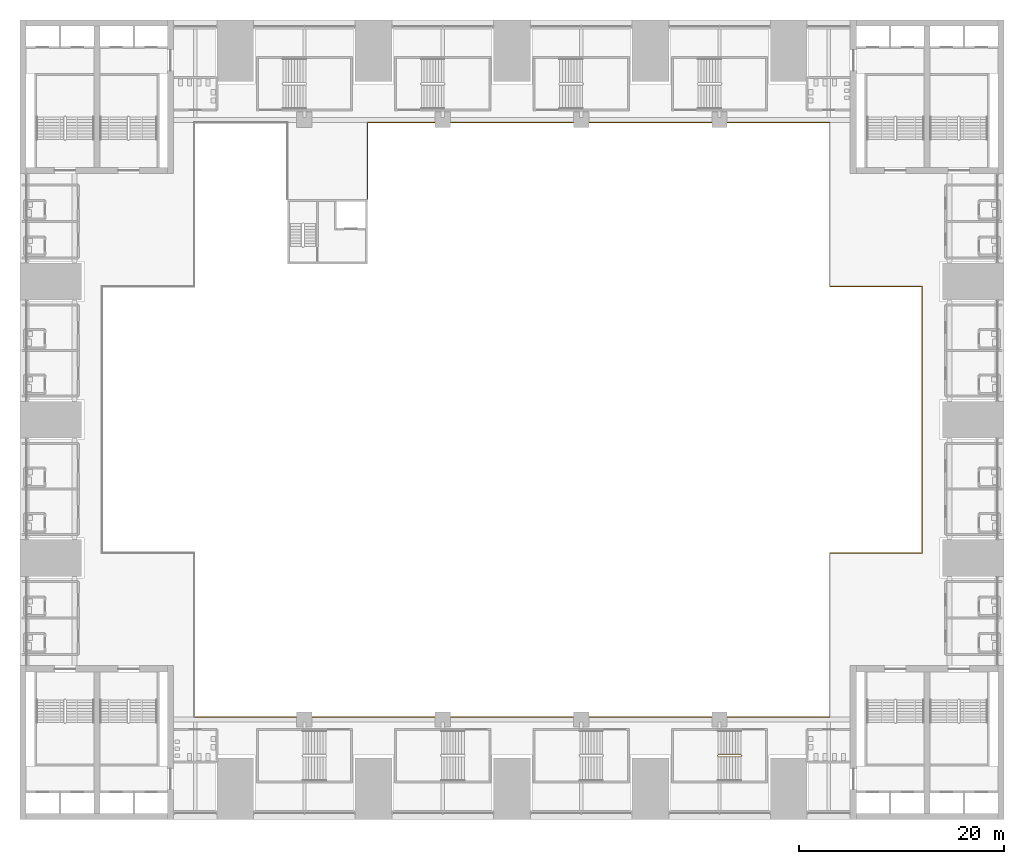
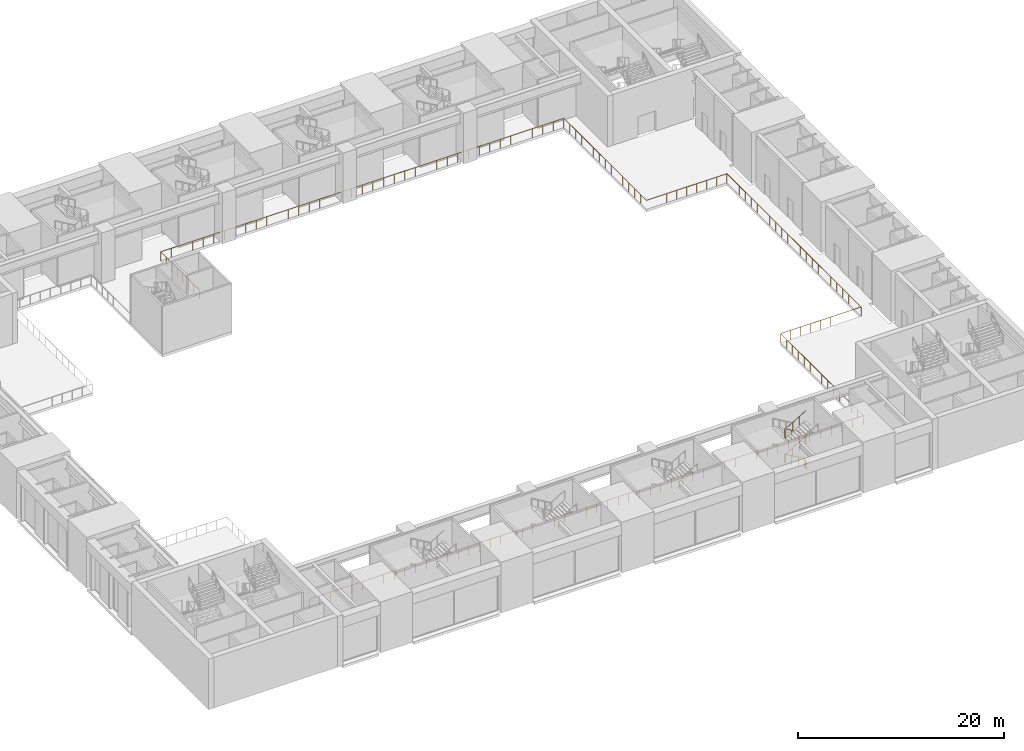
# One storey, part 39 of 43: 2 railings.
"""IFC4 building model written with IfcOpenShell, lengths in metres."""

from ifc_helpers import new_model, si_unit, direction, frame, origin, origin_2d, place, context, subcontext, project, spatial, circle, extrude, material, type_object, element, save


model = new_model("IFC4")

# Units and contexts
model_context = context("Model", 3, precision=1e-05, world=origin(), true_north=direction((0.0, 1.0)))
body_context = subcontext(model_context, "Body", "Model", "MODEL_VIEW")
ifc_project = project(units=[si_unit("LENGTHUNIT", "METRE"), si_unit("AREAUNIT", "SQUARE_METRE"), si_unit("VOLUMEUNIT", "CUBIC_METRE"), si_unit("PLANEANGLEUNIT", "RADIAN"), si_unit("MASSUNIT", "GRAM", prefix="KILO")], contexts=[model_context])

# Site, building, storey
site_placement = place(None, origin())
site = spatial("IfcSite", under=ifc_project, at=site_placement, CompositionType="ELEMENT")
building_placement = place(site_placement, origin())
building = spatial("IfcBuilding", under=site, at=building_placement, Name="Corbelhall Arena Tower", CompositionType="ELEMENT")
storey_placement = place(building_placement, frame((0.0, 0.0, 25.0)))
storey = spatial("IfcBuildingStorey", under=building, at=storey_placement, Name="L03", CompositionType="ELEMENT", Elevation=25.0)

# Railings
ifc_material_1 = material(Name="Stainless steel A4 and laminated glass", Category="steel")
railing_type_1 = type_object("IfcRailingType", Name="AR-GUARD-GLASS", PredefinedType="GUARDRAIL", material=ifc_material_1)
railing_1_placement = place(storey_placement, frame((-14.10009765625, 21.550048828125, 0.0)))
element("IfcRailing", 1, at=railing_1_placement, inside=storey, type_object=railing_type_1, Name="Bowl void guard L03 2", PredefinedType="GUARDRAIL", context=body_context, shape_type="SweptSolid", body=[
    extrude(circle(Radius=0.02392578125, at=origin_2d()), frame((0.0, 0.0, 1.076171875), z_axis=(0.0, 1.0, 0.0), x_axis=(-1.0, 0.0, 0.0)), (0.0, 0.0, 1.0), 7.449951171875),
    extrude(circle(Radius=0.02392578125, at=origin_2d()), frame((0.0, 7.449951171875, 1.076171875), z_axis=(1.0, 0.0, 0.0), x_axis=(0.0, 1.0, 0.0)), (0.0, 0.0, 1.0), 45.10009765625),
    extrude(circle(Radius=0.02392578125, at=origin_2d()), frame((45.10009765625, 7.449951171875, 1.076171875), z_axis=(0.0, -1.0, 0.0), x_axis=(1.0, 0.0, 0.0)), (0.0, 0.0, 1.0), 16.0),
    extrude(circle(Radius=0.02392578125, at=origin_2d()), frame((45.10009765625, -8.550048828125, 1.076171875), z_axis=(1.0, 0.0, 0.0), x_axis=(0.0, 1.0, 0.0)), (0.0, 0.0, 1.0), 9.0),
    extrude(circle(Radius=0.02392578125, at=origin_2d()), frame((54.10009765625, -8.550048828125, 1.076171875), z_axis=(0.0, -1.0, 0.0), x_axis=(1.0, 0.0, 0.0)), (0.0, 0.0, 1.0), 26.0),
    extrude(circle(Radius=0.02392578125, at=origin_2d()), frame((54.10009765625, -34.550048828125, 1.076171875), z_axis=(-1.0, 0.0, 0.0), x_axis=(0.0, -1.0, 0.0)), (0.0, 0.0, 1.0), 9.0),
    extrude(circle(Radius=0.02392578125, at=origin_2d()), frame((45.10009765625, -34.550048828125, 1.076171875), z_axis=(0.0, -1.0, 0.0), x_axis=(1.0, 0.0, 0.0)), (0.0, 0.0, 1.0), 16.0),
    extrude(circle(Radius=0.02392578125, at=origin_2d()), frame((45.10009765625, -50.550048828125, 1.076171875), z_axis=(-1.0, 0.0, 0.0), x_axis=(0.0, -1.0, 0.0)), (0.0, 0.0, 1.0), 62.0),
    extrude(circle(Radius=0.02099609375, at=origin_2d()), origin(), (0.0, 0.0, 1.0), 1.052001953125),
    extrude(circle(Radius=0.02099609375, at=origin_2d()), frame((0.0, 1.064208984375, 0.0)), (0.0, 0.0, 1.0), 1.052001953125),
    extrude(circle(Radius=0.02099609375, at=origin_2d()), frame((0.0, 2.128662109375, 0.0)), (0.0, 0.0, 1.0), 1.052001953125),
    extrude(circle(Radius=0.02099609375, at=origin_2d()), frame((0.0, 3.19287109375, 0.0)), (0.0, 0.0, 1.0), 1.052001953125),
    extrude(circle(Radius=0.02099609375, at=origin_2d()), frame((0.0, 4.257080078125, 0.0)), (0.0, 0.0, 1.0), 1.052001953125),
    extrude(circle(Radius=0.02099609375, at=origin_2d()), frame((0.0, 5.3212890625, 0.0)), (0.0, 0.0, 1.0), 1.052001953125),
    extrude(circle(Radius=0.02099609375, at=origin_2d()), frame((0.0, 6.3857421875, 0.0)), (0.0, 0.0, 1.0), 1.052001953125),
    extrude(circle(Radius=0.02099609375, at=origin_2d()), frame((0.0, 7.449951171875, 0.0)), (0.0, 0.0, 1.0), 1.052001953125),
    extrude(circle(Radius=0.02099609375, at=origin_2d()), frame((1.186767578125, 7.449951171875, 0.0)), (0.0, 0.0, 1.0), 1.052001953125),
    extrude(circle(Radius=0.02099609375, at=origin_2d()), frame((2.373779296875, 7.449951171875, 0.0)), (0.0, 0.0, 1.0), 1.052001953125),
    extrude(circle(Radius=0.02099609375, at=origin_2d()), frame((3.560546875, 7.449951171875, 0.0)), (0.0, 0.0, 1.0), 1.052001953125),
    extrude(circle(Radius=0.02099609375, at=origin_2d()), frame((4.747314453125, 7.449951171875, 0.0)), (0.0, 0.0, 1.0), 1.052001953125),
    extrude(circle(Radius=0.02099609375, at=origin_2d()), frame((5.934326171875, 7.449951171875, 0.0)), (0.0, 0.0, 1.0), 1.052001953125),
    extrude(circle(Radius=0.02099609375, at=origin_2d()), frame((7.12109375, 7.449951171875, 0.0)), (0.0, 0.0, 1.0), 1.052001953125),
    extrude(circle(Radius=0.02099609375, at=origin_2d()), frame((8.307861328125, 7.449951171875, 0.0)), (0.0, 0.0, 1.0), 1.052001953125),
    extrude(circle(Radius=0.02099609375, at=origin_2d()), frame((9.494873046875, 7.449951171875, 0.0)), (0.0, 0.0, 1.0), 1.052001953125),
    extrude(circle(Radius=0.02099609375, at=origin_2d()), frame((10.681640625, 7.449951171875, 0.0)), (0.0, 0.0, 1.0), 1.052001953125),
    extrude(circle(Radius=0.02099609375, at=origin_2d()), frame((11.868408203125, 7.449951171875, 0.0)), (0.0, 0.0, 1.0), 1.052001953125),
    extrude(circle(Radius=0.02099609375, at=origin_2d()), frame((13.05517578125, 7.449951171875, 0.0)), (0.0, 0.0, 1.0), 1.052001953125),
    extrude(circle(Radius=0.02099609375, at=origin_2d()), frame((14.2421875, 7.449951171875, 0.0)), (0.0, 0.0, 1.0), 1.052001953125),
    extrude(circle(Radius=0.02099609375, at=origin_2d()), frame((15.428955078125, 7.449951171875, 0.0)), (0.0, 0.0, 1.0), 1.052001953125),
    extrude(circle(Radius=0.02099609375, at=origin_2d()), frame((16.61572265625, 7.449951171875, 0.0)), (0.0, 0.0, 1.0), 1.052001953125),
    extrude(circle(Radius=0.02099609375, at=origin_2d()), frame((17.802734375, 7.449951171875, 0.0)), (0.0, 0.0, 1.0), 1.052001953125),
    extrude(circle(Radius=0.02099609375, at=origin_2d()), frame((18.989501953125, 7.449951171875, 0.0)), (0.0, 0.0, 1.0), 1.052001953125),
    extrude(circle(Radius=0.02099609375, at=origin_2d()), frame((20.17626953125, 7.449951171875, 0.0)), (0.0, 0.0, 1.0), 1.052001953125),
    extrude(circle(Radius=0.02099609375, at=origin_2d()), frame((21.36328125, 7.449951171875, 0.0)), (0.0, 0.0, 1.0), 1.052001953125),
    extrude(circle(Radius=0.02099609375, at=origin_2d()), frame((22.550048828125, 7.449951171875, 0.0)), (0.0, 0.0, 1.0), 1.052001953125),
    extrude(circle(Radius=0.02099609375, at=origin_2d()), frame((23.73681640625, 7.449951171875, 0.0)), (0.0, 0.0, 1.0), 1.052001953125),
    extrude(circle(Radius=0.02099609375, at=origin_2d()), frame((24.923828125, 7.449951171875, 0.0)), (0.0, 0.0, 1.0), 1.052001953125),
    extrude(circle(Radius=0.02099609375, at=origin_2d()), frame((26.110595703125, 7.449951171875, 0.0)), (0.0, 0.0, 1.0), 1.052001953125),
    extrude(circle(Radius=0.02099609375, at=origin_2d()), frame((27.29736328125, 7.449951171875, 0.0)), (0.0, 0.0, 1.0), 1.052001953125),
    extrude(circle(Radius=0.02099609375, at=origin_2d()), frame((28.484375, 7.449951171875, 0.0)), (0.0, 0.0, 1.0), 1.052001953125),
    extrude(circle(Radius=0.02099609375, at=origin_2d()), frame((29.671142578125, 7.449951171875, 0.0)), (0.0, 0.0, 1.0), 1.052001953125),
    extrude(circle(Radius=0.02099609375, at=origin_2d()), frame((30.85791015625, 7.449951171875, 0.0)), (0.0, 0.0, 1.0), 1.052001953125),
    extrude(circle(Radius=0.02099609375, at=origin_2d()), frame((32.044921875, 7.449951171875, 0.0)), (0.0, 0.0, 1.0), 1.052001953125),
    extrude(circle(Radius=0.02099609375, at=origin_2d()), frame((33.231689453125, 7.449951171875, 0.0)), (0.0, 0.0, 1.0), 1.052001953125),
    extrude(circle(Radius=0.02099609375, at=origin_2d()), frame((34.41845703125, 7.449951171875, 0.0)), (0.0, 0.0, 1.0), 1.052001953125),
    extrude(circle(Radius=0.02099609375, at=origin_2d()), frame((35.605224609375, 7.449951171875, 0.0)), (0.0, 0.0, 1.0), 1.052001953125),
    extrude(circle(Radius=0.02099609375, at=origin_2d()), frame((36.792236328125, 7.449951171875, 0.0)), (0.0, 0.0, 1.0), 1.052001953125),
    extrude(circle(Radius=0.02099609375, at=origin_2d()), frame((37.97900390625, 7.449951171875, 0.0)), (0.0, 0.0, 1.0), 1.052001953125),
    extrude(circle(Radius=0.02099609375, at=origin_2d()), frame((39.165771484375, 7.449951171875, 0.0)), (0.0, 0.0, 1.0), 1.052001953125),
    extrude(circle(Radius=0.02099609375, at=origin_2d()), frame((40.352783203125, 7.449951171875, 0.0)), (0.0, 0.0, 1.0), 1.052001953125),
    extrude(circle(Radius=0.02099609375, at=origin_2d()), frame((41.53955078125, 7.449951171875, 0.0)), (0.0, 0.0, 1.0), 1.052001953125),
    extrude(circle(Radius=0.02099609375, at=origin_2d()), frame((42.726318359375, 7.449951171875, 0.0)), (0.0, 0.0, 1.0), 1.052001953125),
    extrude(circle(Radius=0.02099609375, at=origin_2d()), frame((43.913330078125, 7.449951171875, 0.0)), (0.0, 0.0, 1.0), 1.052001953125),
    extrude(circle(Radius=0.02099609375, at=origin_2d()), frame((45.10009765625, 7.449951171875, 0.0)), (0.0, 0.0, 1.0), 1.052001953125),
    extrude(circle(Radius=0.02099609375, at=origin_2d()), frame((45.10009765625, 6.30712890625, 0.0)), (0.0, 0.0, 1.0), 1.052001953125),
    extrude(circle(Radius=0.02099609375, at=origin_2d()), frame((45.10009765625, 5.164306640625, 0.0)), (0.0, 0.0, 1.0), 1.052001953125),
    extrude(circle(Radius=0.02099609375, at=origin_2d()), frame((45.10009765625, 4.021484375, 0.0)), (0.0, 0.0, 1.0), 1.052001953125),
    extrude(circle(Radius=0.02099609375, at=origin_2d()), frame((45.10009765625, 2.87841796875, 0.0)), (0.0, 0.0, 1.0), 1.052001953125),
    extrude(circle(Radius=0.02099609375, at=origin_2d()), frame((45.10009765625, 1.735595703125, 0.0)), (0.0, 0.0, 1.0), 1.052001953125),
    extrude(circle(Radius=0.02099609375, at=origin_2d()), frame((45.10009765625, 0.5927734375, 0.0)), (0.0, 0.0, 1.0), 1.052001953125),
    extrude(circle(Radius=0.02099609375, at=origin_2d()), frame((45.10009765625, -0.550048828125, 0.0)), (0.0, 0.0, 1.0), 1.052001953125),
    extrude(circle(Radius=0.02099609375, at=origin_2d()), frame((45.10009765625, -1.69287109375, 0.0)), (0.0, 0.0, 1.0), 1.052001953125),
    extrude(circle(Radius=0.02099609375, at=origin_2d()), frame((45.10009765625, -2.835693359375, 0.0)), (0.0, 0.0, 1.0), 1.052001953125),
    extrude(circle(Radius=0.02099609375, at=origin_2d()), frame((45.10009765625, -3.978515625, 0.0)), (0.0, 0.0, 1.0), 1.052001953125),
    extrude(circle(Radius=0.02099609375, at=origin_2d()), frame((45.10009765625, -5.12158203125, 0.0)), (0.0, 0.0, 1.0), 1.052001953125),
    extrude(circle(Radius=0.02099609375, at=origin_2d()), frame((45.10009765625, -6.264404296875, 0.0)), (0.0, 0.0, 1.0), 1.052001953125),
    extrude(circle(Radius=0.02099609375, at=origin_2d()), frame((45.10009765625, -7.4072265625, 0.0)), (0.0, 0.0, 1.0), 1.052001953125),
    extrude(circle(Radius=0.02099609375, at=origin_2d()), frame((45.10009765625, -8.550048828125, 0.0)), (0.0, 0.0, 1.0), 1.052001953125),
    extrude(circle(Radius=0.02099609375, at=origin_2d()), frame((46.22509765625, -8.550048828125, 0.0)), (0.0, 0.0, 1.0), 1.052001953125),
    extrude(circle(Radius=0.02099609375, at=origin_2d()), frame((47.35009765625, -8.550048828125, 0.0)), (0.0, 0.0, 1.0), 1.052001953125),
    extrude(circle(Radius=0.02099609375, at=origin_2d()), frame((48.47509765625, -8.550048828125, 0.0)), (0.0, 0.0, 1.0), 1.052001953125),
    extrude(circle(Radius=0.02099609375, at=origin_2d()), frame((49.60009765625, -8.550048828125, 0.0)), (0.0, 0.0, 1.0), 1.052001953125),
    extrude(circle(Radius=0.02099609375, at=origin_2d()), frame((50.72509765625, -8.550048828125, 0.0)), (0.0, 0.0, 1.0), 1.052001953125),
    extrude(circle(Radius=0.02099609375, at=origin_2d()), frame((51.85009765625, -8.550048828125, 0.0)), (0.0, 0.0, 1.0), 1.052001953125),
    extrude(circle(Radius=0.02099609375, at=origin_2d()), frame((52.97509765625, -8.550048828125, 0.0)), (0.0, 0.0, 1.0), 1.052001953125),
    extrude(circle(Radius=0.02099609375, at=origin_2d()), frame((54.10009765625, -8.550048828125, 0.0)), (0.0, 0.0, 1.0), 1.052001953125),
    extrude(circle(Radius=0.02099609375, at=origin_2d()), frame((54.10009765625, -9.73193359375, 0.0)), (0.0, 0.0, 1.0), 1.052001953125),
    extrude(circle(Radius=0.02099609375, at=origin_2d()), frame((54.10009765625, -10.91357421875, 0.0)), (0.0, 0.0, 1.0), 1.052001953125),
    extrude(circle(Radius=0.02099609375, at=origin_2d()), frame((54.10009765625, -12.095458984375, 0.0)), (0.0, 0.0, 1.0), 1.052001953125),
    extrude(circle(Radius=0.02099609375, at=origin_2d()), frame((54.10009765625, -13.27734375, 0.0)), (0.0, 0.0, 1.0), 1.052001953125),
    extrude(circle(Radius=0.02099609375, at=origin_2d()), frame((54.10009765625, -14.459228515625, 0.0)), (0.0, 0.0, 1.0), 1.052001953125),
    extrude(circle(Radius=0.02099609375, at=origin_2d()), frame((54.10009765625, -15.640869140625, 0.0)), (0.0, 0.0, 1.0), 1.052001953125),
    extrude(circle(Radius=0.02099609375, at=origin_2d()), frame((54.10009765625, -16.82275390625, 0.0)), (0.0, 0.0, 1.0), 1.052001953125),
    extrude(circle(Radius=0.02099609375, at=origin_2d()), frame((54.10009765625, -18.004638671875, 0.0)), (0.0, 0.0, 1.0), 1.052001953125),
    extrude(circle(Radius=0.02099609375, at=origin_2d()), frame((54.10009765625, -19.1865234375, 0.0)), (0.0, 0.0, 1.0), 1.052001953125),
    extrude(circle(Radius=0.02099609375, at=origin_2d()), frame((54.10009765625, -20.3681640625, 0.0)), (0.0, 0.0, 1.0), 1.052001953125),
    extrude(circle(Radius=0.02099609375, at=origin_2d()), frame((54.10009765625, -21.550048828125, 0.0)), (0.0, 0.0, 1.0), 1.052001953125),
    extrude(circle(Radius=0.02099609375, at=origin_2d()), frame((54.10009765625, -22.73193359375, 0.0)), (0.0, 0.0, 1.0), 1.052001953125),
    extrude(circle(Radius=0.02099609375, at=origin_2d()), frame((54.10009765625, -23.91357421875, 0.0)), (0.0, 0.0, 1.0), 1.052001953125),
    extrude(circle(Radius=0.02099609375, at=origin_2d()), frame((54.10009765625, -25.095458984375, 0.0)), (0.0, 0.0, 1.0), 1.052001953125),
    extrude(circle(Radius=0.02099609375, at=origin_2d()), frame((54.10009765625, -26.27734375, 0.0)), (0.0, 0.0, 1.0), 1.052001953125),
    extrude(circle(Radius=0.02099609375, at=origin_2d()), frame((54.10009765625, -27.459228515625, 0.0)), (0.0, 0.0, 1.0), 1.052001953125),
    extrude(circle(Radius=0.02099609375, at=origin_2d()), frame((54.10009765625, -28.640869140625, 0.0)), (0.0, 0.0, 1.0), 1.052001953125),
    extrude(circle(Radius=0.02099609375, at=origin_2d()), frame((54.10009765625, -29.82275390625, 0.0)), (0.0, 0.0, 1.0), 1.052001953125),
    extrude(circle(Radius=0.02099609375, at=origin_2d()), frame((54.10009765625, -31.004638671875, 0.0)), (0.0, 0.0, 1.0), 1.052001953125),
    extrude(circle(Radius=0.02099609375, at=origin_2d()), frame((54.10009765625, -32.1865234375, 0.0)), (0.0, 0.0, 1.0), 1.052001953125),
    extrude(circle(Radius=0.02099609375, at=origin_2d()), frame((54.10009765625, -33.3681640625, 0.0)), (0.0, 0.0, 1.0), 1.052001953125),
    extrude(circle(Radius=0.02099609375, at=origin_2d()), frame((54.10009765625, -34.550048828125, 0.0)), (0.0, 0.0, 1.0), 1.052001953125),
    extrude(circle(Radius=0.02099609375, at=origin_2d()), frame((52.97509765625, -34.550048828125, 0.0)), (0.0, 0.0, 1.0), 1.052001953125),
    extrude(circle(Radius=0.02099609375, at=origin_2d()), frame((51.85009765625, -34.550048828125, 0.0)), (0.0, 0.0, 1.0), 1.052001953125),
    extrude(circle(Radius=0.02099609375, at=origin_2d()), frame((50.72509765625, -34.550048828125, 0.0)), (0.0, 0.0, 1.0), 1.052001953125),
    extrude(circle(Radius=0.02099609375, at=origin_2d()), frame((49.60009765625, -34.550048828125, 0.0)), (0.0, 0.0, 1.0), 1.052001953125),
    extrude(circle(Radius=0.02099609375, at=origin_2d()), frame((48.47509765625, -34.550048828125, 0.0)), (0.0, 0.0, 1.0), 1.052001953125),
    extrude(circle(Radius=0.02099609375, at=origin_2d()), frame((47.35009765625, -34.550048828125, 0.0)), (0.0, 0.0, 1.0), 1.052001953125),
    extrude(circle(Radius=0.02099609375, at=origin_2d()), frame((46.22509765625, -34.550048828125, 0.0)), (0.0, 0.0, 1.0), 1.052001953125),
    extrude(circle(Radius=0.02099609375, at=origin_2d()), frame((45.10009765625, -34.550048828125, 0.0)), (0.0, 0.0, 1.0), 1.052001953125),
    extrude(circle(Radius=0.02099609375, at=origin_2d()), frame((45.10009765625, -35.69287109375, 0.0)), (0.0, 0.0, 1.0), 1.052001953125),
    extrude(circle(Radius=0.02099609375, at=origin_2d()), frame((45.10009765625, -36.835693359375, 0.0)), (0.0, 0.0, 1.0), 1.052001953125),
    extrude(circle(Radius=0.02099609375, at=origin_2d()), frame((45.10009765625, -37.978515625, 0.0)), (0.0, 0.0, 1.0), 1.052001953125),
    extrude(circle(Radius=0.02099609375, at=origin_2d()), frame((45.10009765625, -39.12158203125, 0.0)), (0.0, 0.0, 1.0), 1.052001953125),
    extrude(circle(Radius=0.02099609375, at=origin_2d()), frame((45.10009765625, -40.264404296875, 0.0)), (0.0, 0.0, 1.0), 1.052001953125),
    extrude(circle(Radius=0.02099609375, at=origin_2d()), frame((45.10009765625, -41.4072265625, 0.0)), (0.0, 0.0, 1.0), 1.052001953125),
    extrude(circle(Radius=0.02099609375, at=origin_2d()), frame((45.10009765625, -42.550048828125, 0.0)), (0.0, 0.0, 1.0), 1.052001953125),
    extrude(circle(Radius=0.02099609375, at=origin_2d()), frame((45.10009765625, -43.69287109375, 0.0)), (0.0, 0.0, 1.0), 1.052001953125),
    extrude(circle(Radius=0.02099609375, at=origin_2d()), frame((45.10009765625, -44.835693359375, 0.0)), (0.0, 0.0, 1.0), 1.052001953125),
    extrude(circle(Radius=0.02099609375, at=origin_2d()), frame((45.10009765625, -45.978515625, 0.0)), (0.0, 0.0, 1.0), 1.052001953125),
    extrude(circle(Radius=0.02099609375, at=origin_2d()), frame((45.10009765625, -47.12158203125, 0.0)), (0.0, 0.0, 1.0), 1.052001953125),
    extrude(circle(Radius=0.02099609375, at=origin_2d()), frame((45.10009765625, -48.264404296875, 0.0)), (0.0, 0.0, 1.0), 1.052001953125),
    extrude(circle(Radius=0.02099609375, at=origin_2d()), frame((45.10009765625, -49.4072265625, 0.0)), (0.0, 0.0, 1.0), 1.052001953125),
    extrude(circle(Radius=0.02099609375, at=origin_2d()), frame((45.10009765625, -50.550048828125, 0.0)), (0.0, 0.0, 1.0), 1.052001953125),
    extrude(circle(Radius=0.02099609375, at=origin_2d()), frame((43.90771484375, -50.550048828125, 0.0)), (0.0, 0.0, 1.0), 1.052001953125),
    extrude(circle(Radius=0.02099609375, at=origin_2d()), frame((42.715576171875, -50.550048828125, 0.0)), (0.0, 0.0, 1.0), 1.052001953125),
    extrude(circle(Radius=0.02099609375, at=origin_2d()), frame((41.523193359375, -50.550048828125, 0.0)), (0.0, 0.0, 1.0), 1.052001953125),
    extrude(circle(Radius=0.02099609375, at=origin_2d()), frame((40.330810546875, -50.550048828125, 0.0)), (0.0, 0.0, 1.0), 1.052001953125),
    extrude(circle(Radius=0.02099609375, at=origin_2d()), frame((39.138671875, -50.550048828125, 0.0)), (0.0, 0.0, 1.0), 1.052001953125),
    extrude(circle(Radius=0.02099609375, at=origin_2d()), frame((37.9462890625, -50.550048828125, 0.0)), (0.0, 0.0, 1.0), 1.052001953125),
    extrude(circle(Radius=0.02099609375, at=origin_2d()), frame((36.75390625, -50.550048828125, 0.0)), (0.0, 0.0, 1.0), 1.052001953125),
    extrude(circle(Radius=0.02099609375, at=origin_2d()), frame((35.5615234375, -50.550048828125, 0.0)), (0.0, 0.0, 1.0), 1.052001953125),
    extrude(circle(Radius=0.02099609375, at=origin_2d()), frame((34.369384765625, -50.550048828125, 0.0)), (0.0, 0.0, 1.0), 1.052001953125),
    extrude(circle(Radius=0.02099609375, at=origin_2d()), frame((33.177001953125, -50.550048828125, 0.0)), (0.0, 0.0, 1.0), 1.052001953125),
    extrude(circle(Radius=0.02099609375, at=origin_2d()), frame((31.984619140625, -50.550048828125, 0.0)), (0.0, 0.0, 1.0), 1.052001953125),
    extrude(circle(Radius=0.02099609375, at=origin_2d()), frame((30.79248046875, -50.550048828125, 0.0)), (0.0, 0.0, 1.0), 1.052001953125),
    extrude(circle(Radius=0.02099609375, at=origin_2d()), frame((29.60009765625, -50.550048828125, 0.0)), (0.0, 0.0, 1.0), 1.052001953125),
    extrude(circle(Radius=0.02099609375, at=origin_2d()), frame((28.40771484375, -50.550048828125, 0.0)), (0.0, 0.0, 1.0), 1.052001953125),
    extrude(circle(Radius=0.02099609375, at=origin_2d()), frame((27.215576171875, -50.550048828125, 0.0)), (0.0, 0.0, 1.0), 1.052001953125),
    extrude(circle(Radius=0.02099609375, at=origin_2d()), frame((26.023193359375, -50.550048828125, 0.0)), (0.0, 0.0, 1.0), 1.052001953125),
    extrude(circle(Radius=0.02099609375, at=origin_2d()), frame((24.830810546875, -50.550048828125, 0.0)), (0.0, 0.0, 1.0), 1.052001953125),
    extrude(circle(Radius=0.02099609375, at=origin_2d()), frame((23.638671875, -50.550048828125, 0.0)), (0.0, 0.0, 1.0), 1.052001953125),
    extrude(circle(Radius=0.02099609375, at=origin_2d()), frame((22.4462890625, -50.550048828125, 0.0)), (0.0, 0.0, 1.0), 1.052001953125),
    extrude(circle(Radius=0.02099609375, at=origin_2d()), frame((21.25390625, -50.550048828125, 0.0)), (0.0, 0.0, 1.0), 1.052001953125),
    extrude(circle(Radius=0.02099609375, at=origin_2d()), frame((20.0615234375, -50.550048828125, 0.0)), (0.0, 0.0, 1.0), 1.052001953125),
    extrude(circle(Radius=0.02099609375, at=origin_2d()), frame((18.869384765625, -50.550048828125, 0.0)), (0.0, 0.0, 1.0), 1.052001953125),
    extrude(circle(Radius=0.02099609375, at=origin_2d()), frame((17.677001953125, -50.550048828125, 0.0)), (0.0, 0.0, 1.0), 1.052001953125),
    extrude(circle(Radius=0.02099609375, at=origin_2d()), frame((16.484619140625, -50.550048828125, 0.0)), (0.0, 0.0, 1.0), 1.052001953125),
    extrude(circle(Radius=0.02099609375, at=origin_2d()), frame((15.29248046875, -50.550048828125, 0.0)), (0.0, 0.0, 1.0), 1.052001953125),
    extrude(circle(Radius=0.02099609375, at=origin_2d()), frame((14.10009765625, -50.550048828125, 0.0)), (0.0, 0.0, 1.0), 1.052001953125),
    extrude(circle(Radius=0.02099609375, at=origin_2d()), frame((12.90771484375, -50.550048828125, 0.0)), (0.0, 0.0, 1.0), 1.052001953125),
    extrude(circle(Radius=0.02099609375, at=origin_2d()), frame((11.715576171875, -50.550048828125, 0.0)), (0.0, 0.0, 1.0), 1.052001953125),
    extrude(circle(Radius=0.02099609375, at=origin_2d()), frame((10.523193359375, -50.550048828125, 0.0)), (0.0, 0.0, 1.0), 1.052001953125),
    extrude(circle(Radius=0.02099609375, at=origin_2d()), frame((9.330810546875, -50.550048828125, 0.0)), (0.0, 0.0, 1.0), 1.052001953125),
    extrude(circle(Radius=0.02099609375, at=origin_2d()), frame((8.138671875, -50.550048828125, 0.0)), (0.0, 0.0, 1.0), 1.052001953125),
    extrude(circle(Radius=0.02099609375, at=origin_2d()), frame((6.9462890625, -50.550048828125, 0.0)), (0.0, 0.0, 1.0), 1.052001953125),
    extrude(circle(Radius=0.02099609375, at=origin_2d()), frame((5.75390625, -50.550048828125, 0.0)), (0.0, 0.0, 1.0), 1.052001953125),
    extrude(circle(Radius=0.02099609375, at=origin_2d()), frame((4.5615234375, -50.550048828125, 0.0)), (0.0, 0.0, 1.0), 1.052001953125),
    extrude(circle(Radius=0.02099609375, at=origin_2d()), frame((3.369384765625, -50.550048828125, 0.0)), (0.0, 0.0, 1.0), 1.052001953125),
    extrude(circle(Radius=0.02099609375, at=origin_2d()), frame((2.177001953125, -50.550048828125, 0.0)), (0.0, 0.0, 1.0), 1.052001953125),
    extrude(circle(Radius=0.02099609375, at=origin_2d()), frame((0.984619140625, -50.550048828125, 0.0)), (0.0, 0.0, 1.0), 1.052001953125),
    extrude(circle(Radius=0.02099609375, at=origin_2d()), frame((-0.20751953125, -50.550048828125, 0.0)), (0.0, 0.0, 1.0), 1.052001953125),
    extrude(circle(Radius=0.02099609375, at=origin_2d()), frame((-1.39990234375, -50.550048828125, 0.0)), (0.0, 0.0, 1.0), 1.052001953125),
    extrude(circle(Radius=0.02099609375, at=origin_2d()), frame((-2.59228515625, -50.550048828125, 0.0)), (0.0, 0.0, 1.0), 1.052001953125),
    extrude(circle(Radius=0.02099609375, at=origin_2d()), frame((-3.784423828125, -50.550048828125, 0.0)), (0.0, 0.0, 1.0), 1.052001953125),
    extrude(circle(Radius=0.02099609375, at=origin_2d()), frame((-4.976806640625, -50.550048828125, 0.0)), (0.0, 0.0, 1.0), 1.052001953125),
    extrude(circle(Radius=0.02099609375, at=origin_2d()), frame((-6.169189453125, -50.550048828125, 0.0)), (0.0, 0.0, 1.0), 1.052001953125),
    extrude(circle(Radius=0.02099609375, at=origin_2d()), frame((-7.361328125, -50.550048828125, 0.0)), (0.0, 0.0, 1.0), 1.052001953125),
    extrude(circle(Radius=0.02099609375, at=origin_2d()), frame((-8.5537109375, -50.550048828125, 0.0)), (0.0, 0.0, 1.0), 1.052001953125),
    extrude(circle(Radius=0.02099609375, at=origin_2d()), frame((-9.74609375, -50.550048828125, 0.0)), (0.0, 0.0, 1.0), 1.052001953125),
    extrude(circle(Radius=0.02099609375, at=origin_2d()), frame((-10.9384765625, -50.550048828125, 0.0)), (0.0, 0.0, 1.0), 1.052001953125),
    extrude(circle(Radius=0.02099609375, at=origin_2d()), frame((-12.130615234375, -50.550048828125, 0.0)), (0.0, 0.0, 1.0), 1.052001953125),
    extrude(circle(Radius=0.02099609375, at=origin_2d()), frame((-13.322998046875, -50.550048828125, 0.0)), (0.0, 0.0, 1.0), 1.052001953125),
    extrude(circle(Radius=0.02099609375, at=origin_2d()), frame((-14.515380859375, -50.550048828125, 0.0)), (0.0, 0.0, 1.0), 1.052001953125),
    extrude(circle(Radius=0.02099609375, at=origin_2d()), frame((-15.70751953125, -50.550048828125, 0.0)), (0.0, 0.0, 1.0), 1.052001953125),
    extrude(circle(Radius=0.02099609375, at=origin_2d()), frame((-16.89990234375, -50.550048828125, 0.0)), (0.0, 0.0, 1.0), 1.052001953125),
])
ifc_material_2 = material(Name="Stainless steel A4", Category="steel")
railing_type_2 = type_object("IfcRailingType", Name="AR-STAIR-GUARD", PredefinedType="GUARDRAIL", material=ifc_material_2)
railing_2_placement = place(storey_placement, frame((22.35009765625, -32.64990234375, 0.166748046875)))
element("IfcRailing", 2, at=railing_2_placement, inside=storey, type_object=railing_type_2, Name="L03 AS16 stair guards", PredefinedType="GUARDRAIL", context=body_context, shape_type="SweptSolid", body=[
    extrude(circle(Radius=0.02392578125, at=origin_2d()), frame((0.0, 0.0, 1.076171875), z_axis=(-0.859305625298, 0.0, 0.511462454469), x_axis=(0.0, -1.0, 0.0)), (0.0, 0.0, 1.0), 2.606689453125),
    extrude(circle(Radius=0.02392578125, at=origin_2d()), frame((-2.2900390625, -0.050048828125, 2.4091796875), z_axis=(0.0, -1.0, 0.0), x_axis=(1.0, 0.0, 0.0)), (0.0, 0.0, 1.0), 0.150146484375),
    extrude(circle(Radius=0.02392578125, at=origin_2d()), frame((-2.239990234375, -0.25, 2.576171875), z_axis=(0.859305625298, 0.0, 0.511462454469), x_axis=(0.0, 1.0, 0.0)), (0.0, 0.0, 1.0), 2.606689453125),
    extrude(circle(Radius=0.02392578125, at=origin_2d()), frame((0.0498046875, -0.050048828125, 3.9091796875), z_axis=(0.0, -1.0, 0.0), x_axis=(1.0, 0.0, 0.0)), (0.0, 0.0, 1.0), 0.150146484375),
    extrude(circle(Radius=0.02392578125, at=origin_2d()), frame((0.0, 0.0, 4.076171875), z_axis=(-0.859305625298, 0.0, 0.511462454469), x_axis=(0.0, -1.0, 0.0)), (0.0, 0.0, 1.0), 2.606689453125),
    extrude(circle(Radius=0.02392578125, at=origin_2d()), frame((-2.2900390625, -0.050048828125, 5.4091796875), z_axis=(0.0, -1.0, 0.0), x_axis=(1.0, 0.0, 0.0)), (0.0, 0.0, 1.0), 0.150146484375),
    extrude(circle(Radius=0.02392578125, at=origin_2d()), frame((-2.239990234375, -0.25, 5.576171875), z_axis=(0.859305625298, 0.0, 0.511462454469), x_axis=(0.0, 1.0, 0.0)), (0.0, 0.0, 1.0), 2.606689453125),
    extrude(circle(Radius=0.02392578125, at=origin_2d()), frame((0.0498046875, -0.050048828125, 0.9091796875), z_axis=(0.0, -1.0, 0.0), x_axis=(1.0, 0.0, 0.0)), (0.0, 0.0, 1.0), 0.150146484375),
    extrude(circle(Radius=0.02099609375, at=origin_2d()), origin(), (0.0, 0.0, 1.0), 1.052001953125),
    extrude(circle(Radius=0.02099609375, at=origin_2d()), frame((-0.74658203125, 0.0, 0.4443359375)), (0.0, 0.0, 1.0), 1.052001953125),
    extrude(circle(Radius=0.02099609375, at=origin_2d()), frame((-1.493408203125, 0.0, 0.888916015625)), (0.0, 0.0, 1.0), 1.052001953125),
    extrude(circle(Radius=0.02099609375, at=origin_2d()), frame((-2.239990234375, 0.0, 1.333251953125)), (0.0, 0.0, 1.0), 1.052001953125),
    extrude(circle(Radius=0.02099609375, at=origin_2d()), frame((-2.2900390625, -0.050048828125, 1.333251953125)), (0.0, 0.0, 1.0), 1.052001953125),
    extrude(circle(Radius=0.02099609375, at=origin_2d()), frame((-2.2900390625, -0.2001953125, 1.333251953125)), (0.0, 0.0, 1.0), 1.052001953125),
    extrude(circle(Radius=0.02099609375, at=origin_2d()), frame((-2.239990234375, -0.25, 1.5)), (0.0, 0.0, 1.0), 1.052001953125),
    extrude(circle(Radius=0.02099609375, at=origin_2d()), frame((-1.493408203125, -0.25, 1.9443359375)), (0.0, 0.0, 1.0), 1.052001953125),
    extrude(circle(Radius=0.02099609375, at=origin_2d()), frame((-0.74658203125, -0.25, 2.388916015625)), (0.0, 0.0, 1.0), 1.052001953125),
    extrude(circle(Radius=0.02099609375, at=origin_2d()), frame((0.0, -0.25, 2.833251953125)), (0.0, 0.0, 1.0), 1.052001953125),
    extrude(circle(Radius=0.02099609375, at=origin_2d()), frame((0.0498046875, -0.050048828125, 2.833251953125)), (0.0, 0.0, 1.0), 1.052001953125),
    extrude(circle(Radius=0.02099609375, at=origin_2d()), frame((0.0498046875, -0.2001953125, 2.833251953125)), (0.0, 0.0, 1.0), 1.052001953125),
    extrude(circle(Radius=0.02099609375, at=origin_2d()), frame((0.0, 0.0, 3.0)), (0.0, 0.0, 1.0), 1.052001953125),
    extrude(circle(Radius=0.02099609375, at=origin_2d()), frame((-0.74658203125, 0.0, 3.4443359375)), (0.0, 0.0, 1.0), 1.052001953125),
    extrude(circle(Radius=0.02099609375, at=origin_2d()), frame((-1.493408203125, 0.0, 3.888916015625)), (0.0, 0.0, 1.0), 1.052001953125),
    extrude(circle(Radius=0.02099609375, at=origin_2d()), frame((-2.239990234375, 0.0, 4.333251953125)), (0.0, 0.0, 1.0), 1.052001953125),
    extrude(circle(Radius=0.02099609375, at=origin_2d()), frame((-2.2900390625, -0.050048828125, 4.333251953125)), (0.0, 0.0, 1.0), 1.052001953125),
    extrude(circle(Radius=0.02099609375, at=origin_2d()), frame((-2.2900390625, -0.2001953125, 4.333251953125)), (0.0, 0.0, 1.0), 1.052001953125),
    extrude(circle(Radius=0.02099609375, at=origin_2d()), frame((-2.239990234375, -0.25, 4.5)), (0.0, 0.0, 1.0), 1.052001953125),
    extrude(circle(Radius=0.02099609375, at=origin_2d()), frame((-1.493408203125, -0.25, 4.9443359375)), (0.0, 0.0, 1.0), 1.052001953125),
    extrude(circle(Radius=0.02099609375, at=origin_2d()), frame((-0.74658203125, -0.25, 5.388916015625)), (0.0, 0.0, 1.0), 1.052001953125),
    extrude(circle(Radius=0.02099609375, at=origin_2d()), frame((0.0, -0.25, 5.833251953125)), (0.0, 0.0, 1.0), 1.052001953125),
    extrude(circle(Radius=0.02099609375, at=origin_2d()), frame((0.0498046875, -0.050048828125, -0.166748046875)), (0.0, 0.0, 1.0), 1.052001953125),
    extrude(circle(Radius=0.02099609375, at=origin_2d()), frame((0.0498046875, -0.2001953125, -0.166748046875)), (0.0, 0.0, 1.0), 1.052001953125),
])

save(model, "model.ifc")
